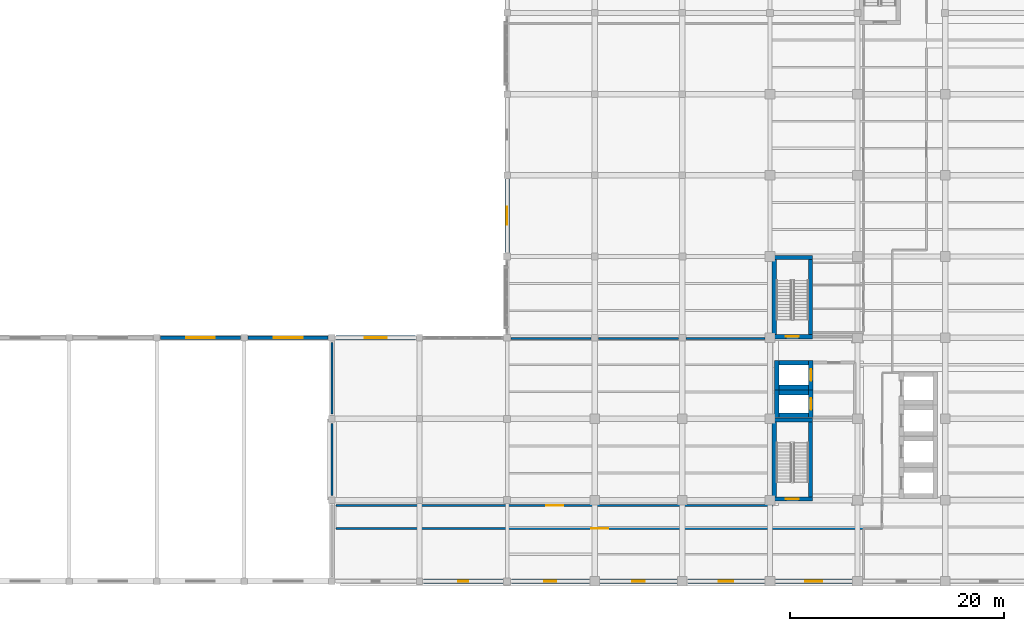
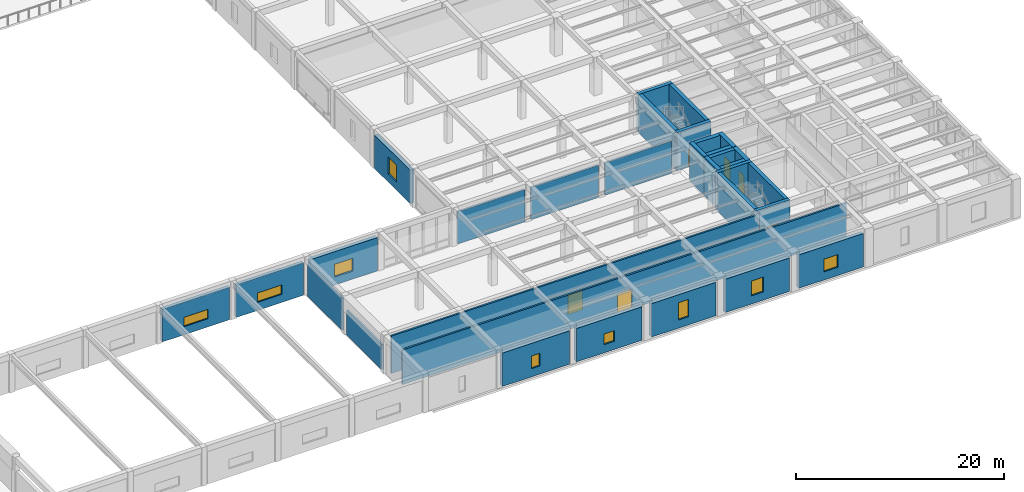
# One storey, part 35 of 49: 32 walls, 9 windows, 6 doors, 15 openings.
"""IFC4 building model written with IfcOpenShell, lengths in metres."""

from ifc_helpers import new_model, si_unit, direction, frame, frame_2d, origin, place, context, subcontext, project, spatial, rectangle, extrude, material, layer, layer_set, type_object, element, fill, save


model = new_model("IFC4")

# Units and contexts
model_context = context("Model", 3, precision=1e-05, world=origin(), true_north=direction((0.0, 1.0)))
body_context = subcontext(model_context, "Body", "Model", "MODEL_VIEW")
ifc_project = project(units=[si_unit("LENGTHUNIT", "METRE"), si_unit("AREAUNIT", "SQUARE_METRE"), si_unit("VOLUMEUNIT", "CUBIC_METRE"), si_unit("PLANEANGLEUNIT", "RADIAN"), si_unit("MASSUNIT", "GRAM", prefix="KILO")], contexts=[model_context])

# Site, building, storey
site_placement = place(None, origin())
site = spatial("IfcSite", under=ifc_project, at=site_placement, CompositionType="ELEMENT")
building_placement = place(site_placement, origin())
building = spatial("IfcBuilding", under=site, at=building_placement, Name="Qandaris Square Conservatory and Botanical Centre", CompositionType="ELEMENT")
storey_placement = place(building_placement, frame((0.0, 0.0, 10.199951171875)))
storey = spatial("IfcBuildingStorey", under=building, at=storey_placement, Name="L02", CompositionType="ELEMENT", Elevation=10.199951171875)

# Wall, opening, window
ifc_material_1 = material(Name="Precast concrete C40/50", Category="concrete")
ifc_layer_1 = layer(ifc_material_1, 0.360107421875)
ifc_layer_set_1 = layer_set([ifc_layer_1], Name="Precast concrete C40/50")
wall_type_1 = type_object("IfcWallType", Name="Architectural Precast Cladding Wall 360mm", PredefinedType="SOLIDWALL", material=ifc_layer_set_1)
wall_1_placement = place(storey_placement, frame((97.840087890625, 39.39990234375, 0.0), z_axis=(0.0, 0.0, 1.0), x_axis=(-1.0, 0.0, 0.0)))
wall_1 = element("IfcWall", 1, at=wall_1_placement, inside=storey, type_object=wall_type_1, Name="Exterior Wall EW-V2-L02-3-1", PredefinedType="SOLIDWALL", context=body_context, shape_type="SweptSolid", body=[
    extrude(rectangle(XDim=7.47998046875, YDim=0.360107421875, at=frame_2d((3.739990234375, 0.0))), origin(), (0.0, 0.0, 1.0), 3.830078125),
])
opening_1_placement = place(wall_1_placement, frame((2.389892578125, 0.0, 0.949951171875)))
opening_1 = element("IfcOpeningElement", 2, at=opening_1_placement, cuts=wall_1, Name="Opening WN-06", PredefinedType="OPENING", context=body_context, shape_type="SweptSolid", body=[
    extrude(rectangle(XDim=2.699951171875, YDim=1.10009765625, at=frame_2d((1.35009765625, 0.550048828125))), frame((0.0, 0.19189453125, 0.0), z_axis=(0.0, -1.0, 0.0), x_axis=(1.0, 0.0, 0.0)), (0.0, 0.0, 1.0), 0.384033203125),
])
ifc_material_2 = material(Name="Tempered Low-E Glass", Category="glass")
window_type_1 = type_object("IfcWindowType", Name="Podium Clerestory Window 2700x1100", PartitioningType="DOUBLE_PANEL_HORIZONTAL", PredefinedType="WINDOW", material=ifc_material_2)
window_1_placement = place(opening_1_placement, origin())
window_1 = element("IfcWindow", 3, at=window_1_placement, inside=storey, type_object=window_type_1, Name="Window EW-V2-L02-3-1", OverallHeight=1.10009765625, OverallWidth=2.699951171875, PartitioningType="DOUBLE_PANEL_HORIZONTAL", PredefinedType="WINDOW", context=body_context, shape_type="SweptSolid", body=[
    extrude(rectangle(XDim=2.699951171875, YDim=1.10009765625, at=frame_2d((1.35009765625, 0.550048828125))), frame((0.0, 0.030029296875, 0.0), z_axis=(0.0, -1.0, 0.0), x_axis=(1.0, 0.0, 0.0)), (0.0, 0.0, 1.0), 0.06005859375),
])
fill(opening_1, window_1)

wall_2_placement = place(storey_placement, frame((89.639892578125, 39.39990234375, 0.0), z_axis=(0.0, 0.0, 1.0), x_axis=(-1.0, 0.0, 0.0)))
wall_2 = element("IfcWall", 4, at=wall_2_placement, inside=storey, type_object=wall_type_1, Name="Exterior Wall EW-V2-L02-3-2", PredefinedType="SOLIDWALL", context=body_context, shape_type="SweptSolid", body=[
    extrude(rectangle(XDim=7.47998046875, YDim=0.360107421875, at=frame_2d((3.739990234375, 0.0))), origin(), (0.0, 0.0, 1.0), 3.830078125),
])
opening_2_placement = place(wall_2_placement, frame((2.389892578125, 0.0, 0.949951171875)))
opening_2 = element("IfcOpeningElement", 5, at=opening_2_placement, cuts=wall_2, Name="Opening WN-06", PredefinedType="OPENING", context=body_context, shape_type="SweptSolid", body=[
    extrude(rectangle(XDim=2.699951171875, YDim=1.10009765625, at=frame_2d((1.35009765625, 0.550048828125))), frame((0.0, 0.19189453125, 0.0), z_axis=(0.0, -1.0, 0.0), x_axis=(1.0, 0.0, 0.0)), (0.0, 0.0, 1.0), 0.384033203125),
])
window_2_placement = place(opening_2_placement, origin())
window_2 = element("IfcWindow", 6, at=window_2_placement, inside=storey, type_object=window_type_1, Name="Window EW-V2-L02-3-2", OverallHeight=1.10009765625, OverallWidth=2.699951171875, PartitioningType="DOUBLE_PANEL_HORIZONTAL", PredefinedType="WINDOW", context=body_context, shape_type="SweptSolid", body=[
    extrude(rectangle(XDim=2.699951171875, YDim=1.10009765625, at=frame_2d((1.35009765625, 0.550048828125))), frame((0.0, 0.030029296875, 0.0), z_axis=(0.0, -1.0, 0.0), x_axis=(1.0, 0.0, 0.0)), (0.0, 0.0, 1.0), 0.06005859375),
])
fill(opening_2, window_2)

# Walls
ifc_material_3 = material(Name="Concrete C40/50", Category="concrete")
ifc_layer_2 = layer(ifc_material_3, 0.199951171875)
ifc_layer_set_2 = layer_set([ifc_layer_2], Name="Concrete C40/50")
wall_type_2 = type_object("IfcWallType", Name="Herbarium & Plant Compartment Wall 200mm", PredefinedType="PARTITIONING", material=ifc_layer_set_2)
wall_3_placement = place(storey_placement, frame((98.199951171875, 24.64990234375, 0.0), z_axis=(0.0, 0.0, 1.0), x_axis=(0.0, 1.0, 0.0)))
element("IfcWall", 7, at=wall_3_placement, inside=storey, type_object=wall_type_2, Name="Compartment Wall PW-V2V4-L02-2", PredefinedType="PARTITIONING", context=body_context, shape_type="SweptSolid", body=[
    extrude(rectangle(XDim=6.7001953125, YDim=0.199951171875, at=frame_2d((3.35009765625, 0.0))), origin(), (0.0, 0.0, 1.0), 2.929931640625),
])
wall_4_placement = place(storey_placement, frame((98.199951171875, 32.25, 0.0), z_axis=(0.0, 0.0, 1.0), x_axis=(0.0, 1.0, 0.0)))
element("IfcWall", 8, at=wall_4_placement, inside=storey, type_object=wall_type_2, Name="Compartment Wall PW-V2V4-L02-3", PredefinedType="PARTITIONING", context=body_context, shape_type="SweptSolid", body=[
    extrude(rectangle(XDim=6.699951171875, YDim=0.199951171875, at=frame_2d((3.35009765625, 0.0))), origin(), (0.0, 0.0, 1.0), 3.795166015625),
])

# Wall, opening, door
wall_5_placement = place(storey_placement, frame((147.949951171875, 21.550048828125, 0.0), z_axis=(0.0, 0.0, 1.0), x_axis=(-1.0, 0.0, 0.0)))
wall_5 = element("IfcWall", 9, at=wall_5_placement, inside=storey, type_object=wall_type_2, Name="Interior Partition IW-L02-0146", PredefinedType="PARTITIONING", context=body_context, shape_type="SweptSolid", body=[
    extrude(rectangle(XDim=49.349853515625, YDim=0.199951171875, at=frame_2d((24.6748046875, 0.0))), origin(), (0.0, 0.0, 1.0), 4.0849609375),
])
opening_3_placement = place(wall_5_placement, frame((23.875, 0.0, 0.0)))
opening_3 = element("IfcOpeningElement", 10, at=opening_3_placement, cuts=wall_5, Name="Opening D-HRB1", PredefinedType="OPENING", context=body_context, shape_type="SweptSolid", body=[
    extrude(rectangle(XDim=1.60009765625, YDim=2.300048828125, at=frame_2d((0.800048828125, 1.14990234375))), frame((0.0, 0.11181640625, 0.0), z_axis=(0.0, -1.0, 0.0), x_axis=(1.0, 0.0, 0.0)), (0.0, 0.0, 1.0), 0.223876953125),
])
ifc_material_4 = material(Name="Steel S355", Category="steel")
door_type_1 = type_object("IfcDoorType", Name="Herbarium Sealable Specimen Double Door 1600x2300", OperationType="DOUBLE_DOOR_SINGLE_SWING", PredefinedType="DOOR", material=ifc_material_4)
door_1_placement = place(opening_3_placement, origin())
door_1 = element("IfcDoor", 11, at=door_1_placement, inside=storey, type_object=door_type_1, Name="DR-0128 Halophyte Herbarium Archive West Door", OperationType="DOUBLE_DOOR_SINGLE_SWING", OverallHeight=2.300048828125, OverallWidth=1.60009765625, PredefinedType="DOOR", context=body_context, shape_type="SweptSolid", body=[
    extrude(rectangle(XDim=1.60009765625, YDim=2.300048828125, at=frame_2d((0.800048828125, 1.14990234375))), frame((0.0, 0.02490234375, 0.0), z_axis=(0.0, -1.0, 0.0), x_axis=(1.0, 0.0, 0.0)), (0.0, 0.0, 1.0), 0.050048828125),
])
fill(opening_3, door_1)

wall_6_placement = place(storey_placement, frame((98.60009765625, 23.699951171875, 0.0), z_axis=(0.0, 0.0, 1.0), x_axis=(1.0, 0.0, 0.0)))
wall_6 = element("IfcWall", 12, at=wall_6_placement, inside=storey, type_object=wall_type_2, Name="Interior Partition IW-L02-0147", PredefinedType="PARTITIONING", context=body_context, shape_type="SweptSolid", body=[
    extrude(rectangle(XDim=40.89990234375, YDim=0.199951171875, at=frame_2d((20.449951171875, 0.0))), origin(), (0.0, 0.0, 1.0), 4.405029296875),
])
opening_4_placement = place(wall_6_placement, frame((19.64990234375, 0.0, 0.0)))
opening_4 = element("IfcOpeningElement", 13, at=opening_4_placement, cuts=wall_6, Name="Opening D-HRB1", PredefinedType="OPENING", context=body_context, shape_type="SweptSolid", body=[
    extrude(rectangle(XDim=1.60009765625, YDim=2.300048828125, at=frame_2d((0.800048828125, 1.14990234375))), frame((0.0, 0.11181640625, 0.0), z_axis=(0.0, -1.0, 0.0), x_axis=(1.0, 0.0, 0.0)), (0.0, 0.0, 1.0), 0.223876953125),
])
door_2_placement = place(opening_4_placement, frame((1.60009765625, 0.0, 0.0), z_axis=(0.0, 0.0, 1.0), x_axis=(-1.0, 0.0, 0.0)))
door_2 = element("IfcDoor", 14, at=door_2_placement, inside=storey, type_object=door_type_1, Name="DR-0129 Arid Lands Type Specimen Vault Door", OperationType="DOUBLE_DOOR_SINGLE_SWING", OverallHeight=2.300048828125, OverallWidth=1.60009765625, PredefinedType="DOOR", context=body_context, shape_type="SweptSolid", body=[
    extrude(rectangle(XDim=1.60009765625, YDim=2.300048828125, at=frame_2d((0.800048828125, 1.14990234375))), frame((0.0, 0.02490234375, 0.0), z_axis=(0.0, -1.0, 0.0), x_axis=(1.0, 0.0, 0.0)), (0.0, 0.0, 1.0), 0.050048828125),
])
fill(opening_4, door_2)

# Walls
for number, where, z_axis, x_axis, name in (
    (15, (114.945068359375, 39.324951171875, 0.0), (0.0, 0.0, 1.0), (1.0, 0.0, 0.0), "Interior Partition IW-L02-0160"),
    (16, (123.14501953125, 39.324951171875, 0.0), (0.0, 0.0, 1.0), (1.0, 0.0, 0.0), "Interior Partition IW-L02-0161"),
):
    element("IfcWall", number, at=place(storey_placement, frame(where, z_axis=z_axis, x_axis=x_axis)), inside=storey, type_object=wall_type_2, Name=name, PredefinedType="PARTITIONING", context=body_context, shape_type="SweptSolid", body=[
        extrude(rectangle(XDim=7.510009765625, YDim=0.199951171875, at=frame_2d((3.7548828125, 0.0))), origin(), (0.0, 0.0, 1.0), 3.795166015625),
    ])
wall_7_placement = place(storey_placement, frame((131.344970703125, 39.324951171875, 0.0), z_axis=(0.0, 0.0, 1.0), x_axis=(1.0, 0.0, 0.0)))
element("IfcWall", 17, at=wall_7_placement, inside=storey, type_object=wall_type_2, Name="Interior Partition IW-L02-0162", PredefinedType="PARTITIONING", context=body_context, shape_type="SweptSolid", body=[
    extrude(rectangle(XDim=7.385009765625, YDim=0.199951171875, at=frame_2d((3.6923828125, 0.0))), origin(), (0.0, 0.0, 1.0), 3.795166015625),
])

# Wall, opening, window
ifc_layer_3 = layer(ifc_material_3, 0.419921875)
ifc_layer_set_3 = layer_set([ifc_layer_3], Name="Concrete C40/50")
wall_type_3 = type_object("IfcWallType", Name="Insulated Qatari Limestone Cavity Wall 420mm", PredefinedType="SOLIDWALL", material=ifc_layer_set_3)
wall_8_placement = place(storey_placement, frame((106.760009765625, 16.60009765625, 0.0), z_axis=(0.0, 0.0, 1.0), x_axis=(1.0, 0.0, 0.0)))
wall_8 = element("IfcWall", 18, at=wall_8_placement, inside=storey, type_object=wall_type_3, Name="Exterior Wall EW-TWR-L02-1-2", PredefinedType="SOLIDWALL", context=body_context, shape_type="SweptSolid", body=[
    extrude(rectangle(XDim=7.455078125, YDim=0.419921875, at=frame_2d((3.7275390625, 0.0))), origin(), (0.0, 0.0, 1.0), 3.929931640625),
])
opening_5_placement = place(wall_8_placement, frame((3.25244140625, 0.0, 0.949951171875)))
opening_5 = element("IfcOpeningElement", 19, at=opening_5_placement, cuts=wall_8, Name="Opening WN-14", PredefinedType="OPENING", context=body_context, shape_type="SweptSolid", body=[
    extrude(rectangle(XDim=0.949951171875, YDim=1.5, at=frame_2d((0.47509765625, 0.75))), frame((0.0, 0.221923828125, 0.0), z_axis=(0.0, -1.0, 0.0), x_axis=(1.0, 0.0, 0.0)), (0.0, 0.0, 1.0), 0.44384765625),
])
window_type_2 = type_object("IfcWindowType", Name="Solar Control Window 950x1500", PartitioningType="SINGLE_PANEL", PredefinedType="WINDOW", material=ifc_material_2)
window_3_placement = place(opening_5_placement, origin())
window_3 = element("IfcWindow", 20, at=window_3_placement, inside=storey, type_object=window_type_2, Name="Window EW-TWR-L02-1-2", OverallHeight=1.5, OverallWidth=0.949951171875, PartitioningType="SINGLE_PANEL", PredefinedType="WINDOW", context=body_context, shape_type="SweptSolid", body=[
    extrude(rectangle(XDim=0.949951171875, YDim=1.5, at=frame_2d((0.47509765625, 0.75))), frame((0.0, 0.030029296875, 0.0), z_axis=(0.0, -1.0, 0.0), x_axis=(1.0, 0.0, 0.0)), (0.0, 0.0, 1.0), 0.06005859375),
])
fill(opening_5, window_3)

wall_9_placement = place(storey_placement, frame((114.985107421875, 16.60009765625, 0.0), z_axis=(0.0, 0.0, 1.0), x_axis=(1.0, 0.0, 0.0)))
wall_9 = element("IfcWall", 21, at=wall_9_placement, inside=storey, type_object=wall_type_3, Name="Exterior Wall EW-TWR-L02-1-3", PredefinedType="SOLIDWALL", context=body_context, shape_type="SweptSolid", body=[
    extrude(rectangle(XDim=7.304931640625, YDim=0.419921875, at=frame_2d((3.65234375, 0.0))), origin(), (0.0, 0.0, 1.0), 3.929931640625),
])
opening_6_placement = place(wall_9_placement, frame((3.077392578125, 0.0, 0.949951171875)))
opening_6 = element("IfcOpeningElement", 22, at=opening_6_placement, cuts=wall_9, Name="Opening WN-17", PredefinedType="OPENING", context=body_context, shape_type="SweptSolid", body=[
    extrude(rectangle(XDim=1.14990234375, YDim=1.25, at=frame_2d((0.574951171875, 0.625))), frame((0.0, 0.221923828125, 0.0), z_axis=(0.0, -1.0, 0.0), x_axis=(1.0, 0.0, 0.0)), (0.0, 0.0, 1.0), 0.44384765625),
])
window_type_3 = type_object("IfcWindowType", Name="Solar Control Window 1150x1250", PartitioningType="SINGLE_PANEL", PredefinedType="WINDOW", material=ifc_material_2)
window_4_placement = place(opening_6_placement, origin())
window_4 = element("IfcWindow", 23, at=window_4_placement, inside=storey, type_object=window_type_3, Name="Window EW-TWR-L02-1-3", OverallHeight=1.25, OverallWidth=1.14990234375, PartitioningType="SINGLE_PANEL", PredefinedType="WINDOW", context=body_context, shape_type="SweptSolid", body=[
    extrude(rectangle(XDim=1.14990234375, YDim=1.25, at=frame_2d((0.574951171875, 0.625))), frame((0.0, 0.030029296875, 0.0), z_axis=(0.0, -1.0, 0.0), x_axis=(1.0, 0.0, 0.0)), (0.0, 0.0, 1.0), 0.06005859375),
])
fill(opening_6, window_4)

wall_10_placement = place(storey_placement, frame((123.31005859375, 16.60009765625, 0.0), z_axis=(0.0, 0.0, 1.0), x_axis=(1.0, 0.0, 0.0)))
wall_10 = element("IfcWall", 24, at=wall_10_placement, inside=storey, type_object=wall_type_3, Name="Exterior Wall EW-TWR-L02-1-4", PredefinedType="SOLIDWALL", context=body_context, shape_type="SweptSolid", body=[
    extrude(rectangle(XDim=7.179931640625, YDim=0.419921875, at=frame_2d((3.58984375, 0.0))), origin(), (0.0, 0.0, 1.0), 3.929931640625),
])
opening_7_placement = place(wall_10_placement, frame((3.014892578125, 0.0, 0.949951171875)))
opening_7 = element("IfcOpeningElement", 25, at=opening_7_placement, cuts=wall_10, Name="Opening WN-20", PredefinedType="OPENING", context=body_context, shape_type="SweptSolid", body=[
    extrude(rectangle(XDim=1.14990234375, YDim=2.050048828125, at=frame_2d((0.574951171875, 1.02490234375))), frame((0.0, 0.221923828125, 0.0), z_axis=(0.0, -1.0, 0.0), x_axis=(1.0, 0.0, 0.0)), (0.0, 0.0, 1.0), 0.44384765625),
])
window_type_4 = type_object("IfcWindowType", Name="Solar Control Window 1150x2050", PartitioningType="SINGLE_PANEL", PredefinedType="WINDOW", material=ifc_material_2)
window_5_placement = place(opening_7_placement, origin())
window_5 = element("IfcWindow", 26, at=window_5_placement, inside=storey, type_object=window_type_4, Name="Window EW-TWR-L02-1-4", OverallHeight=2.050048828125, OverallWidth=1.14990234375, PartitioningType="SINGLE_PANEL", PredefinedType="WINDOW", context=body_context, shape_type="SweptSolid", body=[
    extrude(rectangle(XDim=1.14990234375, YDim=2.050048828125, at=frame_2d((0.574951171875, 1.02490234375))), frame((0.0, 0.030029296875, 0.0), z_axis=(0.0, -1.0, 0.0), x_axis=(1.0, 0.0, 0.0)), (0.0, 0.0, 1.0), 0.06005859375),
])
fill(opening_7, window_5)

wall_11_placement = place(storey_placement, frame((131.510009765625, 16.60009765625, 0.0), z_axis=(0.0, 0.0, 1.0), x_axis=(1.0, 0.0, 0.0)))
wall_11 = element("IfcWall", 27, at=wall_11_placement, inside=storey, type_object=wall_type_3, Name="Exterior Wall EW-TWR-L02-1-5", PredefinedType="SOLIDWALL", context=body_context, shape_type="SweptSolid", body=[
    extrude(rectangle(XDim=7.179931640625, YDim=0.419921875, at=frame_2d((3.58984375, 0.0))), origin(), (0.0, 0.0, 1.0), 3.929931640625),
])
opening_8_placement = place(wall_11_placement, frame((2.9150390625, 0.0, 0.949951171875)))
opening_8 = element("IfcOpeningElement", 28, at=opening_8_placement, cuts=wall_11, Name="Opening WN-23", PredefinedType="OPENING", context=body_context, shape_type="SweptSolid", body=[
    extrude(rectangle(XDim=1.35009765625, YDim=1.75, at=frame_2d((0.675048828125, 0.875))), frame((0.0, 0.221923828125, 0.0), z_axis=(0.0, -1.0, 0.0), x_axis=(1.0, 0.0, 0.0)), (0.0, 0.0, 1.0), 0.44384765625),
])
window_type_5 = type_object("IfcWindowType", Name="Solar Control Window 1350x1750", PartitioningType="SINGLE_PANEL", PredefinedType="WINDOW", material=ifc_material_2)
window_6_placement = place(opening_8_placement, origin())
window_6 = element("IfcWindow", 29, at=window_6_placement, inside=storey, type_object=window_type_5, Name="Window EW-TWR-L02-1-5", OverallHeight=1.75, OverallWidth=1.35009765625, PartitioningType="SINGLE_PANEL", PredefinedType="WINDOW", context=body_context, shape_type="SweptSolid", body=[
    extrude(rectangle(XDim=1.35009765625, YDim=1.75, at=frame_2d((0.675048828125, 0.875))), frame((0.0, 0.030029296875, 0.0), z_axis=(0.0, -1.0, 0.0), x_axis=(1.0, 0.0, 0.0)), (0.0, 0.0, 1.0), 0.06005859375),
])
fill(opening_8, window_6)

wall_12_placement = place(storey_placement, frame((139.7099609375, 16.60009765625, 0.0), z_axis=(0.0, 0.0, 1.0), x_axis=(1.0, 0.0, 0.0)))
wall_12 = element("IfcWall", 30, at=wall_12_placement, inside=storey, type_object=wall_type_3, Name="Exterior Wall EW-TWR-L02-1-6", PredefinedType="SOLIDWALL", context=body_context, shape_type="SweptSolid", body=[
    extrude(rectangle(XDim=7.179931640625, YDim=0.419921875, at=frame_2d((3.58984375, 0.0))), origin(), (0.0, 0.0, 1.0), 3.929931640625),
])
opening_9_placement = place(wall_12_placement, frame((2.81494140625, 0.0, 0.949951171875)))
opening_9 = element("IfcOpeningElement", 31, at=opening_9_placement, cuts=wall_12, Name="Opening WN-26", PredefinedType="OPENING", context=body_context, shape_type="SweptSolid", body=[
    extrude(rectangle(XDim=1.550048828125, YDim=1.5, at=frame_2d((0.77490234375, 0.75))), frame((0.0, 0.221923828125, 0.0), z_axis=(0.0, -1.0, 0.0), x_axis=(1.0, 0.0, 0.0)), (0.0, 0.0, 1.0), 0.44384765625),
])
window_type_6 = type_object("IfcWindowType", Name="Solar Control Window 1550x1500", PartitioningType="DOUBLE_PANEL_VERTICAL", PredefinedType="WINDOW", material=ifc_material_2)
window_7_placement = place(opening_9_placement, origin())
window_7 = element("IfcWindow", 32, at=window_7_placement, inside=storey, type_object=window_type_6, Name="Window EW-TWR-L02-1-6", OverallHeight=1.5, OverallWidth=1.550048828125, PartitioningType="DOUBLE_PANEL_VERTICAL", PredefinedType="WINDOW", context=body_context, shape_type="SweptSolid", body=[
    extrude(rectangle(XDim=1.550048828125, YDim=1.5, at=frame_2d((0.77490234375, 0.75))), frame((0.0, 0.030029296875, 0.0), z_axis=(0.0, -1.0, 0.0), x_axis=(1.0, 0.0, 0.0)), (0.0, 0.0, 1.0), 0.06005859375),
])
fill(opening_9, window_7)

wall_13_placement = place(storey_placement, frame((114.60009765625, 54.239990234375, 0.0), z_axis=(0.0, 0.0, 1.0), x_axis=(0.0, -1.0, 0.0)))
wall_13 = element("IfcWall", 33, at=wall_13_placement, inside=storey, type_object=wall_type_3, Name="Exterior Wall EW-TWR-L02-4-7", PredefinedType="SOLIDWALL", context=body_context, shape_type="SweptSolid", body=[
    extrude(rectangle(XDim=6.85498046875, YDim=0.419921875, at=frame_2d((3.427490234375, 0.0))), origin(), (0.0, 0.0, 1.0), 3.929931640625),
])
opening_10_placement = place(wall_13_placement, frame((2.6025390625, 0.0, 0.949951171875)))
opening_10 = element("IfcOpeningElement", 34, at=opening_10_placement, cuts=wall_13, Name="Opening WN-08", PredefinedType="OPENING", context=body_context, shape_type="SweptSolid", body=[
    extrude(rectangle(XDim=1.64990234375, YDim=2.0, at=frame_2d((0.824951171875, 1.0))), frame((0.0, 0.221923828125, 0.0), z_axis=(0.0, -1.0, 0.0), x_axis=(1.0, 0.0, 0.0)), (0.0, 0.0, 1.0), 0.44384765625),
])
window_type_7 = type_object("IfcWindowType", Name="Seminar Courtyard Window 1650x2000", PartitioningType="DOUBLE_PANEL_VERTICAL", PredefinedType="WINDOW", material=ifc_material_2)
window_8_placement = place(opening_10_placement, origin())
window_8 = element("IfcWindow", 35, at=window_8_placement, inside=storey, type_object=window_type_7, Name="Window EW-TWR-L02-4-7", OverallHeight=2.0, OverallWidth=1.64990234375, PartitioningType="DOUBLE_PANEL_VERTICAL", PredefinedType="WINDOW", context=body_context, shape_type="SweptSolid", body=[
    extrude(rectangle(XDim=1.64990234375, YDim=2.0, at=frame_2d((0.824951171875, 1.0))), frame((0.0, 0.030029296875, 0.0), z_axis=(0.0, -1.0, 0.0), x_axis=(1.0, 0.0, 0.0)), (0.0, 0.0, 1.0), 0.06005859375),
])
fill(opening_10, window_8)

wall_14_placement = place(storey_placement, frame((106.0400390625, 39.39990234375, 0.0), z_axis=(0.0, 0.0, 1.0), x_axis=(-1.0, 0.0, 0.0)))
wall_14 = element("IfcWall", 36, at=wall_14_placement, inside=storey, type_object=wall_type_3, Name="Exterior Wall EW-TWR-L02-5-2", PredefinedType="SOLIDWALL", context=body_context, shape_type="SweptSolid", body=[
    extrude(rectangle(XDim=7.47998046875, YDim=0.419921875, at=frame_2d((3.739990234375, 0.0))), origin(), (0.0, 0.0, 1.0), 3.929931640625),
])
opening_11_placement = place(wall_14_placement, frame((2.715087890625, 0.0, 0.949951171875)))
opening_11 = element("IfcOpeningElement", 37, at=opening_11_placement, cuts=wall_14, Name="Opening WN-34", PredefinedType="OPENING", context=body_context, shape_type="SweptSolid", body=[
    extrude(rectangle(XDim=2.050048828125, YDim=1.5, at=frame_2d((1.02490234375, 0.75))), frame((0.0, 0.221923828125, 0.0), z_axis=(0.0, -1.0, 0.0), x_axis=(1.0, 0.0, 0.0)), (0.0, 0.0, 1.0), 0.44384765625),
])
window_type_8 = type_object("IfcWindowType", Name="Solar Control Window 2050x1500", PartitioningType="DOUBLE_PANEL_VERTICAL", PredefinedType="WINDOW", material=ifc_material_2)
window_9_placement = place(opening_11_placement, origin())
window_9 = element("IfcWindow", 38, at=window_9_placement, inside=storey, type_object=window_type_8, Name="Window EW-TWR-L02-5-2", OverallHeight=1.5, OverallWidth=2.050048828125, PartitioningType="DOUBLE_PANEL_VERTICAL", PredefinedType="WINDOW", context=body_context, shape_type="SweptSolid", body=[
    extrude(rectangle(XDim=2.050048828125, YDim=1.5, at=frame_2d((1.02490234375, 0.75))), frame((0.0, 0.030029296875, 0.0), z_axis=(0.0, -1.0, 0.0), x_axis=(1.0, 0.0, 0.0)), (0.0, 0.0, 1.0), 0.06005859375),
])
fill(opening_11, window_9)

# Walls
ifc_material_5 = material(Name="Concrete C50/60", Category="concrete")
ifc_layer_4 = layer(ifc_material_5, 0.449951171875)
ifc_layer_set_4 = layer_set([ifc_layer_4], Name="Concrete C50/60")
wall_type_4 = type_object("IfcWallType", Name="RC Coupled Core Shear Wall 450mm", PredefinedType="SHEAR", material=ifc_layer_set_4)
for number, where, z_axis, x_axis, name in (
    (39, (140.06005859375, 32.135009765625, 0.0), (0.0, 0.0, 1.0), (1.0, 0.0, 0.0), "Lift FFL1 Shaft Wall South (L02)"),
    (40, (140.06005859375, 34.264892578125, 0.0), (0.0, 0.0, 1.0), (1.0, 0.0, 0.0), "Lift FFL1 Shaft Wall North (L02)"),
):
    element("IfcWall", number, at=place(storey_placement, frame(where, z_axis=z_axis, x_axis=x_axis)), inside=storey, type_object=wall_type_4, Name=name, PredefinedType="SHEAR", context=body_context, shape_type="SweptSolid", body=[
        extrude(rectangle(XDim=2.739990234375, YDim=0.449951171875, at=frame_2d((1.3701171875, 0.0))), origin(), (0.0, 0.0, 1.0), 4.510009765625),
    ])
wall_15_placement = place(storey_placement, frame((139.8349609375, 31.909912109375, 0.0), z_axis=(0.0, 0.0, 1.0), x_axis=(0.0, 1.0, 0.0)))
element("IfcWall", 41, at=wall_15_placement, inside=storey, type_object=wall_type_4, Name="Lift FFL1 Shaft Wall West (L02)", PredefinedType="SHEAR", context=body_context, shape_type="SweptSolid", body=[
    extrude(rectangle(XDim=2.580078125, YDim=0.449951171875, at=frame_2d((1.2900390625, 0.0))), origin(), (0.0, 0.0, 1.0), 4.510009765625),
])

# Wall, opening, door
wall_16_placement = place(storey_placement, frame((143.02490234375, 31.909912109375, 0.0), z_axis=(0.0, 0.0, 1.0), x_axis=(0.0, 1.0, 0.0)))
wall_16 = element("IfcWall", 42, at=wall_16_placement, inside=storey, type_object=wall_type_4, Name="Lift FFL1 Shaft Wall East (L02)", PredefinedType="SHEAR", context=body_context, shape_type="SweptSolid", body=[
    extrude(rectangle(XDim=2.580078125, YDim=0.449951171875, at=frame_2d((1.2900390625, 0.0))), origin(), (0.0, 0.0, 1.0), 4.510009765625),
])
opening_12_placement = place(wall_16_placement, frame((0.739990234375, 0.0, 0.0)))
opening_12 = element("IfcOpeningElement", 43, at=opening_12_placement, cuts=wall_16, Name="Opening LD-FFL", PredefinedType="OPENING", context=body_context, shape_type="SweptSolid", body=[
    extrude(rectangle(XDim=1.10009765625, YDim=2.199951171875, at=frame_2d((0.550048828125, 1.10009765625))), frame((0.0, 0.23681640625, 0.0), z_axis=(0.0, -1.0, 0.0), x_axis=(1.0, 0.0, 0.0)), (0.0, 0.0, 1.0), 0.473876953125),
])
door_type_2 = type_object("IfcDoorType", Name="Firefighting Lift Sliding Landing Door 1100x2200", OperationType="DOUBLE_DOOR_SLIDING", PredefinedType="DOOR", material=ifc_material_4)
door_3_placement = place(opening_12_placement, origin())
door_3 = element("IfcDoor", 44, at=door_3_placement, inside=storey, type_object=door_type_2, Name="DR-0144 Lift FFL1 Landing Door (L02)", OperationType="DOUBLE_DOOR_SLIDING", OverallHeight=2.199951171875, OverallWidth=1.10009765625, PredefinedType="DOOR", context=body_context, shape_type="SweptSolid", body=[
    extrude(rectangle(XDim=1.10009765625, YDim=2.199951171875, at=frame_2d((0.550048828125, 1.10009765625))), frame((0.0, 0.02490234375, 0.0), z_axis=(0.0, -1.0, 0.0), x_axis=(1.0, 0.0, 0.0)), (0.0, 0.0, 1.0), 0.050048828125),
])
fill(opening_12, door_3)

# Walls
for number, where, z_axis, x_axis, name in (
    (45, (140.06005859375, 34.735107421875, 0.0), (0.0, 0.0, 1.0), (1.0, 0.0, 0.0), "Lift FFL2 Shaft Wall South (L02)"),
    (46, (140.06005859375, 37.06494140625, 0.0), (0.0, 0.0, 1.0), (1.0, 0.0, 0.0), "Lift FFL2 Shaft Wall North (L02)"),
):
    element("IfcWall", number, at=place(storey_placement, frame(where, z_axis=z_axis, x_axis=x_axis)), inside=storey, type_object=wall_type_4, Name=name, PredefinedType="SHEAR", context=body_context, shape_type="SweptSolid", body=[
        extrude(rectangle(XDim=2.739990234375, YDim=0.449951171875, at=frame_2d((1.3701171875, 0.0))), origin(), (0.0, 0.0, 1.0), 4.510009765625),
    ])
wall_17_placement = place(storey_placement, frame((139.8349609375, 34.510009765625, 0.0), z_axis=(0.0, 0.0, 1.0), x_axis=(0.0, 1.0, 0.0)))
element("IfcWall", 47, at=wall_17_placement, inside=storey, type_object=wall_type_4, Name="Lift FFL2 Shaft Wall West (L02)", PredefinedType="SHEAR", context=body_context, shape_type="SweptSolid", body=[
    extrude(rectangle(XDim=2.780029296875, YDim=0.449951171875, at=frame_2d((1.39013671875, 0.0))), origin(), (0.0, 0.0, 1.0), 4.510009765625),
])

# Wall, opening, door
wall_18_placement = place(storey_placement, frame((143.02490234375, 34.510009765625, 0.0), z_axis=(0.0, 0.0, 1.0), x_axis=(0.0, 1.0, 0.0)))
wall_18 = element("IfcWall", 48, at=wall_18_placement, inside=storey, type_object=wall_type_4, Name="Lift FFL2 Shaft Wall East (L02)", PredefinedType="SHEAR", context=body_context, shape_type="SweptSolid", body=[
    extrude(rectangle(XDim=2.780029296875, YDim=0.449951171875, at=frame_2d((1.39013671875, 0.0))), origin(), (0.0, 0.0, 1.0), 4.510009765625),
])
opening_13_placement = place(wall_18_placement, frame((0.840087890625, 0.0, 0.0)))
opening_13 = element("IfcOpeningElement", 49, at=opening_13_placement, cuts=wall_18, Name="Opening LD-FFL", PredefinedType="OPENING", context=body_context, shape_type="SweptSolid", body=[
    extrude(rectangle(XDim=1.10009765625, YDim=2.199951171875, at=frame_2d((0.550048828125, 1.10009765625))), frame((0.0, 0.23681640625, 0.0), z_axis=(0.0, -1.0, 0.0), x_axis=(1.0, 0.0, 0.0)), (0.0, 0.0, 1.0), 0.473876953125),
])
door_4_placement = place(opening_13_placement, origin())
door_4 = element("IfcDoor", 50, at=door_4_placement, inside=storey, type_object=door_type_2, Name="DR-0145 Lift FFL2 Landing Door (L02)", OperationType="DOUBLE_DOOR_SLIDING", OverallHeight=2.199951171875, OverallWidth=1.10009765625, PredefinedType="DOOR", context=body_context, shape_type="SweptSolid", body=[
    extrude(rectangle(XDim=1.10009765625, YDim=2.199951171875, at=frame_2d((0.550048828125, 1.10009765625))), frame((0.0, 0.02490234375, 0.0), z_axis=(0.0, -1.0, 0.0), x_axis=(1.0, 0.0, 0.0)), (0.0, 0.0, 1.0), 0.050048828125),
])
fill(opening_13, door_4)

ifc_layer_5 = layer(ifc_material_5, 0.39990234375)
ifc_layer_set_5 = layer_set([ifc_layer_5], Name="Concrete C50/60")
wall_type_5 = type_object("IfcWallType", Name="RC Stair Core Shear Wall 400mm", PredefinedType="SHEAR", material=ifc_layer_set_5)
wall_19_placement = place(storey_placement, frame((139.39990234375, 24.300048828125, 0.0), z_axis=(0.0, 0.0, 1.0), x_axis=(1.0, 0.0, 0.0)))
wall_19 = element("IfcWall", 51, at=wall_19_placement, inside=storey, type_object=wall_type_5, Name="ST-1 Core Shear Wall South (L02)", PredefinedType="SHEAR", context=body_context, shape_type="SweptSolid", body=[
    extrude(rectangle(XDim=3.800048828125, YDim=0.39990234375, at=frame_2d((1.89990234375, 0.0))), origin(), (0.0, 0.0, 1.0), 4.510009765625),
])
opening_14_placement = place(wall_19_placement, frame((1.300048828125, 0.0, 0.0)))
opening_14 = element("IfcOpeningElement", 52, at=opening_14_placement, cuts=wall_19, Name="Opening D-ST1", PredefinedType="OPENING", context=body_context, shape_type="SweptSolid", body=[
    extrude(rectangle(XDim=1.199951171875, YDim=2.199951171875, at=frame_2d((0.60009765625, 1.10009765625))), frame((0.0, 0.2119140625, 0.0), z_axis=(0.0, -1.0, 0.0), x_axis=(1.0, 0.0, 0.0)), (0.0, 0.0, 1.0), 0.423828125),
])
door_type_3 = type_object("IfcDoorType", Name="Exit Stair Core Fire Door 1200x2200", OperationType="NOTDEFINED", PredefinedType="DOOR", material=ifc_material_4)
door_5_placement = place(opening_14_placement, origin())
door_5 = element("IfcDoor", 53, at=door_5_placement, inside=storey, type_object=door_type_3, Name="DR-0136 ST-1 Stair Core Door (L02)", OperationType="SINGLE_SWING_RIGHT", OverallHeight=2.199951171875, OverallWidth=1.199951171875, PredefinedType="DOOR", context=body_context, shape_type="SweptSolid", body=[
    extrude(rectangle(XDim=1.199951171875, YDim=2.199951171875, at=frame_2d((0.60009765625, 1.10009765625))), frame((0.0, 0.02490234375, 0.0), z_axis=(0.0, -1.0, 0.0), x_axis=(1.0, 0.0, 0.0)), (0.0, 0.0, 1.0), 0.050048828125),
])
fill(opening_14, door_5)

# Walls
wall_20_placement = place(storey_placement, frame((139.39990234375, 31.699951171875, 0.0), z_axis=(0.0, 0.0, 1.0), x_axis=(1.0, 0.0, 0.0)))
element("IfcWall", 54, at=wall_20_placement, inside=storey, type_object=wall_type_5, Name="ST-1 Core Shear Wall North (L02)", PredefinedType="SHEAR", context=body_context, shape_type="SweptSolid", body=[
    extrude(rectangle(XDim=3.800048828125, YDim=0.39990234375, at=frame_2d((1.89990234375, 0.0))), origin(), (0.0, 0.0, 1.0), 4.510009765625),
])
for number, where, z_axis, x_axis, name in (
    (55, (139.60009765625, 24.5, 0.0), (0.0, 0.0, 1.0), (0.0, 1.0, 0.0), "ST-1 Core Shear Wall West (L02)"),
    (56, (143.0, 24.5, 0.0), (0.0, 0.0, 1.0), (0.0, 1.0, 0.0), "ST-1 Core Shear Wall East (L02)"),
):
    element("IfcWall", number, at=place(storey_placement, frame(where, z_axis=z_axis, x_axis=x_axis)), inside=storey, type_object=wall_type_5, Name=name, PredefinedType="SHEAR", context=body_context, shape_type="SweptSolid", body=[
        extrude(rectangle(XDim=7.0, YDim=0.39990234375, at=frame_2d((3.5, 0.0))), origin(), (0.0, 0.0, 1.0), 4.510009765625),
    ])

# Wall, opening, door
wall_21_placement = place(storey_placement, frame((139.39990234375, 39.5, 0.0), z_axis=(0.0, 0.0, 1.0), x_axis=(1.0, 0.0, 0.0)))
wall_21 = element("IfcWall", 57, at=wall_21_placement, inside=storey, type_object=wall_type_5, Name="ST-2 Core Shear Wall South (L02)", PredefinedType="SHEAR", context=body_context, shape_type="SweptSolid", body=[
    extrude(rectangle(XDim=3.800048828125, YDim=0.39990234375, at=frame_2d((1.89990234375, 0.0))), origin(), (0.0, 0.0, 1.0), 4.510009765625),
])
opening_15_placement = place(wall_21_placement, frame((1.300048828125, 0.0, 0.0)))
opening_15 = element("IfcOpeningElement", 58, at=opening_15_placement, cuts=wall_21, Name="Opening D-ST1", PredefinedType="OPENING", context=body_context, shape_type="SweptSolid", body=[
    extrude(rectangle(XDim=1.199951171875, YDim=2.199951171875, at=frame_2d((0.60009765625, 1.10009765625))), frame((0.0, 0.2119140625, 0.0), z_axis=(0.0, -1.0, 0.0), x_axis=(1.0, 0.0, 0.0)), (0.0, 0.0, 1.0), 0.423828125),
])
door_6_placement = place(opening_15_placement, origin())
door_6 = element("IfcDoor", 59, at=door_6_placement, inside=storey, type_object=door_type_3, Name="DR-0137 ST-2 Stair Core Door (L02)", OperationType="SINGLE_SWING_RIGHT", OverallHeight=2.199951171875, OverallWidth=1.199951171875, PredefinedType="DOOR", context=body_context, shape_type="SweptSolid", body=[
    extrude(rectangle(XDim=1.199951171875, YDim=2.199951171875, at=frame_2d((0.60009765625, 1.10009765625))), frame((0.0, 0.02490234375, 0.0), z_axis=(0.0, -1.0, 0.0), x_axis=(1.0, 0.0, 0.0)), (0.0, 0.0, 1.0), 0.050048828125),
])
fill(opening_15, door_6)

# Walls
wall_22_placement = place(storey_placement, frame((139.39990234375, 46.89990234375, 0.0), z_axis=(0.0, 0.0, 1.0), x_axis=(1.0, 0.0, 0.0)))
element("IfcWall", 60, at=wall_22_placement, inside=storey, type_object=wall_type_5, Name="ST-2 Core Shear Wall North (L02)", PredefinedType="SHEAR", context=body_context, shape_type="SweptSolid", body=[
    extrude(rectangle(XDim=3.800048828125, YDim=0.39990234375, at=frame_2d((1.89990234375, 0.0))), origin(), (0.0, 0.0, 1.0), 4.510009765625),
])
for number, where, z_axis, x_axis, name in (
    (61, (139.60009765625, 39.699951171875, 0.0), (0.0, 0.0, 1.0), (0.0, 1.0, 0.0), "ST-2 Core Shear Wall West (L02)"),
    (62, (143.0, 39.699951171875, 0.0), (0.0, 0.0, 1.0), (0.0, 1.0, 0.0), "ST-2 Core Shear Wall East (L02)"),
):
    element("IfcWall", number, at=place(storey_placement, frame(where, z_axis=z_axis, x_axis=x_axis)), inside=storey, type_object=wall_type_5, Name=name, PredefinedType="SHEAR", context=body_context, shape_type="SweptSolid", body=[
        extrude(rectangle(XDim=7.0, YDim=0.39990234375, at=frame_2d((3.5, 0.0))), origin(), (0.0, 0.0, 1.0), 4.510009765625),
    ])

save(model, "model.ifc")
